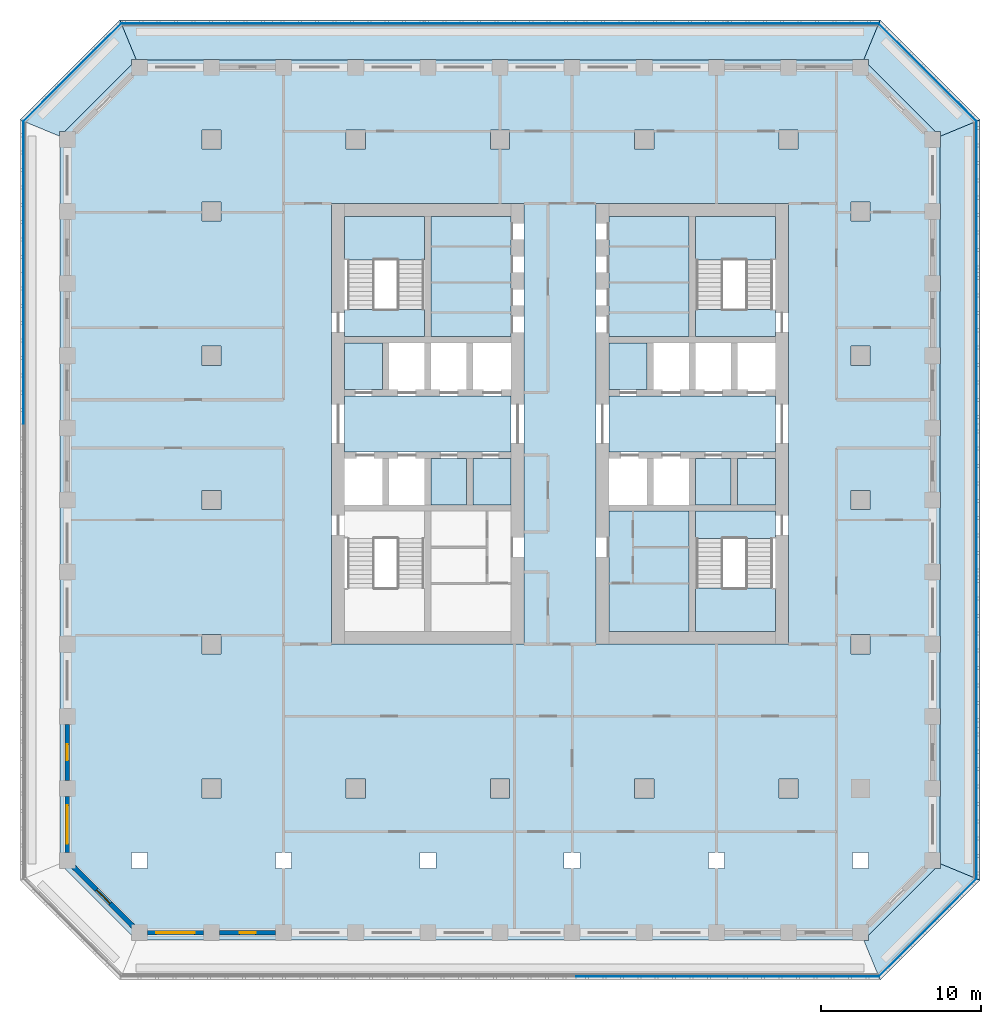
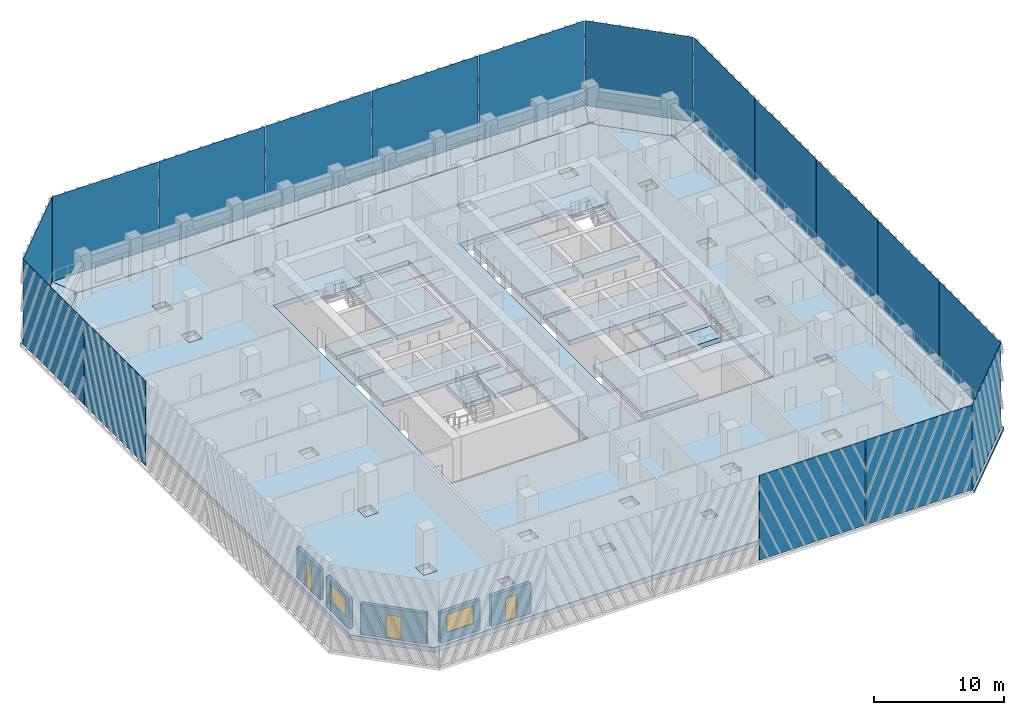
# One storey, part 2 of 17: 23 slabs, 17 plates, 5 walls, 3 doors, 2 windows, 5 openings, 3 elements without a shape of their own.
"""IFC4 building model written with IfcOpenShell, lengths in metres."""

from ifc_helpers import new_model, si_unit, direction, frame, frame_2d, origin, origin_2d, place, context, subcontext, project, spatial, polyline, rectangle, outline, extrude, material, layer, layer_set, type_object, element, fill, aggregate, save


model = new_model("IFC4")

# Units and contexts
model_context = context("Model", 3, precision=1e-05, world=origin(), true_north=direction((0.0, 1.0)))
body_context = subcontext(model_context, "Body", "Model", "MODEL_VIEW")
ifc_project = project(units=[si_unit("LENGTHUNIT", "METRE"), si_unit("AREAUNIT", "SQUARE_METRE"), si_unit("VOLUMEUNIT", "CUBIC_METRE"), si_unit("PLANEANGLEUNIT", "RADIAN"), si_unit("MASSUNIT", "GRAM", prefix="KILO")], contexts=[model_context])

# Site, building, storey
site_placement = place(None, origin())
site = spatial("IfcSite", under=ifc_project, at=site_placement, CompositionType="ELEMENT")
building_placement = place(site_placement, origin())
building = spatial("IfcBuilding", under=site, at=building_placement, Name="Corbel Stack Research Tower", CompositionType="ELEMENT")
storey_placement = place(building_placement, frame((0.0, 0.0, 156.800048828125)))
storey = spatial("IfcBuildingStorey", under=building, at=storey_placement, Name="L35", CompositionType="ELEMENT", Elevation=156.800048828125)

# Plates
ifc_material_1 = material(Name="Fritted glass", Category="glass")
ifc_layer_1 = layer(ifc_material_1, 0.02490234375)
ifc_layer_set_1 = layer_set([ifc_layer_1], Name="Fritted glass")
plate_type = type_object("IfcPlateType", Name="Fritted glass panel 25", PredefinedType="SHEET", material=ifc_layer_set_1)
for number, where, z_axis, x_axis, name in (
    (1, (9.45556640625, -29.737548828125, 0.0), (0.0, 0.0, 1.0), (1.0, 0.0, 0.0), "Fritted glass L35 S4"),
    (2, (18.911376953125, -29.737548828125, 0.0), (0.0, 0.0, 1.0), (1.0, 0.0, 0.0), "Fritted glass L35 S5"),
):
    element("IfcPlate", number, at=place(storey_placement, frame(where, z_axis=z_axis, x_axis=x_axis)), inside=storey, type_object=plate_type, Name=name, PredefinedType="SHEET", context=body_context, shape_type="SweptSolid", body=[
        extrude(rectangle(XDim=9.3955078125, YDim=0.02490234375, at=origin_2d()), origin(), (0.0, 0.0, 1.0), 7.949951171875),
    ])
plate_1_placement = place(storey_placement, frame((26.685791015625, -26.685791015625, 0.0), z_axis=(0.0, 0.0, 1.0), x_axis=(0.707106781187, 0.707106781187, 0.0)))
element("IfcPlate", 3, at=plate_1_placement, inside=storey, type_object=plate_type, Name="Fritted glass L35 SE1", PredefinedType="SHEET", context=body_context, shape_type="SweptSolid", body=[
    extrude(rectangle(XDim=8.58203125, YDim=0.02490234375, at=origin_2d()), origin(), (0.0, 0.0, 1.0), 7.949951171875),
])
for number, where, z_axis, x_axis, name in (
    (4, (29.737548828125, -18.911376953125, 0.0), (0.0, 0.0, 1.0), (0.0, 1.0, 0.0), "Fritted glass L35 E1"),
    (5, (29.737548828125, -9.45556640625, 0.0), (0.0, 0.0, 1.0), (0.0, 1.0, 0.0), "Fritted glass L35 E2"),
    (6, (29.737548828125, 0.0, 0.0), (0.0, 0.0, 1.0), (0.0, 1.0, 0.0), "Fritted glass L35 E3"),
    (7, (29.737548828125, 9.45556640625, 0.0), (0.0, 0.0, 1.0), (0.0, 1.0, 0.0), "Fritted glass L35 E4"),
    (8, (29.737548828125, 18.911376953125, 0.0), (0.0, 0.0, 1.0), (0.0, 1.0, 0.0), "Fritted glass L35 E5"),
):
    element("IfcPlate", number, at=place(storey_placement, frame(where, z_axis=z_axis, x_axis=x_axis)), inside=storey, type_object=plate_type, Name=name, PredefinedType="SHEET", context=body_context, shape_type="SweptSolid", body=[
        extrude(rectangle(XDim=9.3955078125, YDim=0.02490234375, at=origin_2d()), origin(), (0.0, 0.0, 1.0), 7.949951171875),
    ])
plate_2_placement = place(storey_placement, frame((26.685791015625, 26.685791015625, 0.0), z_axis=(0.0, 0.0, 1.0), x_axis=(-0.707106781187, 0.707106781187, 0.0)))
element("IfcPlate", 9, at=plate_2_placement, inside=storey, type_object=plate_type, Name="Fritted glass L35 NE1", PredefinedType="SHEET", context=body_context, shape_type="SweptSolid", body=[
    extrude(rectangle(XDim=8.58203125, YDim=0.02490234375, at=origin_2d()), origin(), (0.0, 0.0, 1.0), 7.949951171875),
])
for number, where, z_axis, x_axis, name in (
    (10, (18.911376953125, 29.737548828125, 0.0), (0.0, 0.0, 1.0), (-1.0, 0.0, 0.0), "Fritted glass L35 N1"),
    (11, (9.45556640625, 29.737548828125, 0.0), (0.0, 0.0, 1.0), (-1.0, 0.0, 0.0), "Fritted glass L35 N2"),
    (12, (0.0, 29.737548828125, 0.0), (0.0, 0.0, 1.0), (-1.0, 0.0, 0.0), "Fritted glass L35 N3"),
    (13, (-9.45556640625, 29.737548828125, 0.0), (0.0, 0.0, 1.0), (-1.0, 0.0, 0.0), "Fritted glass L35 N4"),
    (14, (-18.911376953125, 29.737548828125, 0.0), (0.0, 0.0, 1.0), (-1.0, 0.0, 0.0), "Fritted glass L35 N5"),
):
    element("IfcPlate", number, at=place(storey_placement, frame(where, z_axis=z_axis, x_axis=x_axis)), inside=storey, type_object=plate_type, Name=name, PredefinedType="SHEET", context=body_context, shape_type="SweptSolid", body=[
        extrude(rectangle(XDim=9.3955078125, YDim=0.02490234375, at=origin_2d()), origin(), (0.0, 0.0, 1.0), 7.949951171875),
    ])
plate_3_placement = place(storey_placement, frame((-26.685791015625, 26.685791015625, 0.0), z_axis=(0.0, 0.0, 1.0), x_axis=(-0.707106781187, -0.707106781187, 0.0)))
element("IfcPlate", 15, at=plate_3_placement, inside=storey, type_object=plate_type, Name="Fritted glass L35 NW1", PredefinedType="SHEET", context=body_context, shape_type="SweptSolid", body=[
    extrude(rectangle(XDim=8.58203125, YDim=0.02490234375, at=origin_2d()), origin(), (0.0, 0.0, 1.0), 7.949951171875),
])
for number, where, z_axis, x_axis, name in (
    (16, (-29.737548828125, 18.911376953125, 0.0), (0.0, 0.0, 1.0), (0.0, -1.0, 0.0), "Fritted glass L35 W1"),
    (17, (-29.737548828125, 9.45556640625, 0.0), (0.0, 0.0, 1.0), (0.0, -1.0, 0.0), "Fritted glass L35 W2"),
):
    element("IfcPlate", number, at=place(storey_placement, frame(where, z_axis=z_axis, x_axis=x_axis)), inside=storey, type_object=plate_type, Name=name, PredefinedType="SHEET", context=body_context, shape_type="SweptSolid", body=[
        extrude(rectangle(XDim=9.3955078125, YDim=0.02490234375, at=origin_2d()), origin(), (0.0, 0.0, 1.0), 7.949951171875),
    ])

# Slabs
ifc_material_2 = material(Name="Concrete C45/55", Category="concrete")
ifc_layer_2 = layer(ifc_material_2, 0.25)
ifc_layer_set_2 = layer_set([ifc_layer_2], Name="Concrete C45/55")
slab_type_1 = type_object("IfcSlabType", Name="PT balcony slab 250 C45/55", PredefinedType="FLOOR", material=ifc_layer_set_2)
slab_1_placement = place(storey_placement, frame((0.0, 0.0, -0.25)))
element("IfcSlab", 18, at=slab_1_placement, inside=storey, type_object=slab_type_1, Name="Loggia slab L35 SE", PredefinedType="FLOOR", context=body_context, shape_type="SweptSolid", body=[
    extrude(outline(polyline([(27.5, -22.70703125), (27.5, -23.0), (27.136474609375, -23.0), (23.0, -27.136474609375), (23.0, -27.5), (22.70703125, -27.5), (23.721923828125, -29.949951171875), (29.949951171875, -23.721923828125), (27.5, -22.70703125)])), origin(), (0.0, 0.0, 1.0), 0.25),
])
slab_2_placement = place(storey_placement, frame((0.0, 0.0, -0.25)))
element("IfcSlab", 19, at=slab_2_placement, inside=storey, type_object=slab_type_1, Name="Loggia slab L35 E", PredefinedType="FLOOR", context=body_context, shape_type="SweptSolid", body=[
    extrude(outline(polyline([(27.5, 22.70703125), (27.5, 22.0), (27.449951171875, 22.0), (27.449951171875, 18.5), (27.5, 18.5), (27.5, 17.5), (27.449951171875, 17.5), (27.449951171875, 14.0), (27.5, 14.0), (27.5, 13.0), (27.449951171875, 13.0), (27.449951171875, 9.5), (27.5, 9.5), (27.5, 8.5), (27.449951171875, 8.5), (27.449951171875, 5.0), (27.5, 5.0), (27.5, 4.0), (27.449951171875, 4.0), (27.449951171875, 0.5), (27.5, 0.5), (27.5, -0.5), (27.449951171875, -0.5), (27.449951171875, -4.0), (27.5, -4.0), (27.5, -5.0), (27.449951171875, -5.0), (27.449951171875, -8.5), (27.5, -8.5), (27.5, -9.5), (27.449951171875, -9.5), (27.449951171875, -13.0), (27.5, -13.0), (27.5, -14.0), (27.449951171875, -14.0), (27.449951171875, -17.5), (27.5, -17.5), (27.5, -18.5), (27.449951171875, -18.5), (27.449951171875, -22.0), (27.5, -22.0), (27.5, -22.70703125), (29.949951171875, -23.721923828125), (29.949951171875, 23.721923828125), (27.5, 22.70703125)])), origin(), (0.0, 0.0, 1.0), 0.25),
])
slab_3_placement = place(storey_placement, frame((0.0, 0.0, -0.25)))
element("IfcSlab", 20, at=slab_3_placement, inside=storey, type_object=slab_type_1, Name="Loggia slab L35 NE", PredefinedType="FLOOR", context=body_context, shape_type="SweptSolid", body=[
    extrude(outline(polyline([(22.70703125, 27.5), (23.0, 27.5), (23.0, 27.136474609375), (27.136474609375, 23.0), (27.5, 23.0), (27.5, 22.70703125), (29.949951171875, 23.721923828125), (23.721923828125, 29.949951171875), (22.70703125, 27.5)])), origin(), (0.0, 0.0, 1.0), 0.25),
])
slab_4_placement = place(storey_placement, frame((0.0, 0.0, -0.25)))
element("IfcSlab", 21, at=slab_4_placement, inside=storey, type_object=slab_type_1, Name="Loggia slab L35 N", PredefinedType="FLOOR", context=body_context, shape_type="SweptSolid", body=[
    extrude(outline(polyline([(-22.70703125, 27.5), (-22.0, 27.5), (-22.0, 27.449951171875), (-18.5, 27.449951171875), (-18.5, 27.5), (-17.5, 27.5), (-17.5, 27.449951171875), (-14.0, 27.449951171875), (-14.0, 27.5), (-13.0, 27.5), (-13.0, 27.449951171875), (-9.5, 27.449951171875), (-9.5, 27.5), (-8.5, 27.5), (-8.5, 27.449951171875), (-5.0, 27.449951171875), (-5.0, 27.5), (-4.0, 27.5), (-4.0, 27.449951171875), (-0.5, 27.449951171875), (-0.5, 27.5), (0.5, 27.5), (0.5, 27.449951171875), (4.0, 27.449951171875), (4.0, 27.5), (5.0, 27.5), (5.0, 27.449951171875), (8.5, 27.449951171875), (8.5, 27.5), (9.5, 27.5), (9.5, 27.449951171875), (13.0, 27.449951171875), (13.0, 27.5), (14.0, 27.5), (14.0, 27.449951171875), (17.5, 27.449951171875), (17.5, 27.5), (18.5, 27.5), (18.5, 27.449951171875), (22.0, 27.449951171875), (22.0, 27.5), (22.70703125, 27.5), (23.721923828125, 29.949951171875), (-23.721923828125, 29.949951171875), (-22.70703125, 27.5)])), origin(), (0.0, 0.0, 1.0), 0.25),
])
slab_5_placement = place(storey_placement, frame((0.0, 0.0, -0.25)))
element("IfcSlab", 22, at=slab_5_placement, inside=storey, type_object=slab_type_1, Name="Loggia slab L35 NW", PredefinedType="FLOOR", context=body_context, shape_type="SweptSolid", body=[
    extrude(outline(polyline([(-27.5, 22.70703125), (-27.5, 23.0), (-27.136474609375, 23.0), (-23.0, 27.136474609375), (-23.0, 27.5), (-22.70703125, 27.5), (-23.721923828125, 29.949951171875), (-29.949951171875, 23.721923828125), (-27.5, 22.70703125)])), origin(), (0.0, 0.0, 1.0), 0.25),
])
ifc_material_3 = material(Name="Concrete C45/55", Category="concrete")
ifc_layer_3 = layer(ifc_material_3, 0.449951171875)
ifc_layer_set_3 = layer_set([ifc_layer_3], Name="Concrete C45/55")
slab_type_2 = type_object("IfcSlabType", Name="PT-450", PredefinedType="FLOOR", material=ifc_layer_set_3)
slab_6_placement = place(storey_placement, frame((0.0, 0.0, -0.449951171875)))
element("IfcSlab", 23, at=slab_6_placement, inside=storey, type_object=slab_type_2, Name="Floor slab L35", PredefinedType="FLOOR", context=body_context, shape_type="SweptSolid", body=[
    extrude(outline(polyline([(-22.686279296875, -27.449951171875), (22.686279296875, -27.449951171875), (27.449951171875, -22.686279296875), (27.449951171875, 22.686279296875), (22.686279296875, 27.449951171875), (-22.686279296875, 27.449951171875), (-27.449951171875, 22.686279296875), (-27.449951171875, -22.686279296875), (-22.686279296875, -27.449951171875)]), holes=[polyline([(21.89990234375, 17.39990234375), (21.89990234375, 18.60009765625), (23.10009765625, 18.60009765625), (23.10009765625, 17.39990234375), (21.89990234375, 17.39990234375)]), polyline([(21.89990234375, 8.39990234375), (21.89990234375, 9.60009765625), (23.10009765625, 9.60009765625), (23.10009765625, 8.39990234375), (21.89990234375, 8.39990234375)]), polyline([(23.10009765625, -0.60009765625), (21.89990234375, -0.60009765625), (21.89990234375, 0.60009765625), (23.10009765625, 0.60009765625), (23.10009765625, -0.60009765625)]), polyline([(21.89990234375, -9.60009765625), (21.89990234375, -8.39990234375), (23.10009765625, -8.39990234375), (23.10009765625, -9.60009765625), (21.89990234375, -9.60009765625)]), polyline([(22.0, -23.0), (22.0, -22.0), (23.0, -22.0), (23.0, -23.0), (22.0, -23.0)]), polyline([(17.39990234375, 21.89990234375), (17.39990234375, 23.10009765625), (18.60009765625, 23.10009765625), (18.60009765625, 21.89990234375), (17.39990234375, 21.89990234375)]), polyline([(17.39990234375, -18.60009765625), (17.39990234375, -17.39990234375), (18.60009765625, -17.39990234375), (18.60009765625, -18.60009765625), (17.39990234375, -18.60009765625)]), polyline([(6.0, -9.0), (6.0, 18.5), (18.0, 18.5), (18.0, -9.0), (6.0, -9.0)]), polyline([(13.0, -23.0), (13.0, -22.0), (14.0, -22.0), (14.0, -23.0), (13.0, -23.0)]), polyline([(8.39990234375, 21.89990234375), (8.39990234375, 23.10009765625), (9.60009765625, 23.10009765625), (9.60009765625, 21.89990234375), (8.39990234375, 21.89990234375)]), polyline([(9.60009765625, -18.60009765625), (8.39990234375, -18.60009765625), (8.39990234375, -17.39990234375), (9.60009765625, -17.39990234375), (9.60009765625, -18.60009765625)]), polyline([(5.0, -23.0), (4.0, -23.0), (4.0, -22.0), (5.0, -22.0), (5.0, -23.0)]), polyline([(-10.5, -9.0), (-10.5, 18.5), (1.5, 18.5), (1.5, -9.0), (-10.5, -9.0)]), polyline([(-0.60009765625, 21.89990234375), (-0.60009765625, 23.10009765625), (0.60009765625, 23.10009765625), (0.60009765625, 21.89990234375), (-0.60009765625, 21.89990234375)]), polyline([(-0.60009765625, -18.60009765625), (-0.60009765625, -17.39990234375), (0.60009765625, -17.39990234375), (0.60009765625, -18.60009765625), (-0.60009765625, -18.60009765625)]), polyline([(-5.0, -23.0), (-5.0, -22.0), (-4.0, -22.0), (-4.0, -23.0), (-5.0, -23.0)]), polyline([(-9.60009765625, 21.89990234375), (-9.60009765625, 23.10009765625), (-8.39990234375, 23.10009765625), (-8.39990234375, 21.89990234375), (-9.60009765625, 21.89990234375)]), polyline([(-9.60009765625, -18.60009765625), (-9.60009765625, -17.39990234375), (-8.39990234375, -17.39990234375), (-8.39990234375, -18.60009765625), (-9.60009765625, -18.60009765625)]), polyline([(-14.0, -23.0), (-14.0, -22.0), (-13.0, -22.0), (-13.0, -23.0), (-14.0, -23.0)]), polyline([(-18.60009765625, 21.89990234375), (-18.60009765625, 23.10009765625), (-17.39990234375, 23.10009765625), (-17.39990234375, 21.89990234375), (-18.60009765625, 21.89990234375)]), polyline([(-18.60009765625, 17.39990234375), (-18.60009765625, 18.60009765625), (-17.39990234375, 18.60009765625), (-17.39990234375, 17.39990234375), (-18.60009765625, 17.39990234375)]), polyline([(-18.60009765625, 8.39990234375), (-18.60009765625, 9.60009765625), (-17.39990234375, 9.60009765625), (-17.39990234375, 8.39990234375), (-18.60009765625, 8.39990234375)]), polyline([(-18.60009765625, -0.60009765625), (-18.60009765625, 0.60009765625), (-17.39990234375, 0.60009765625), (-17.39990234375, -0.60009765625), (-18.60009765625, -0.60009765625)]), polyline([(-17.39990234375, -9.60009765625), (-18.60009765625, -9.60009765625), (-18.60009765625, -8.39990234375), (-17.39990234375, -8.39990234375), (-17.39990234375, -9.60009765625)]), polyline([(-17.39990234375, -18.60009765625), (-18.60009765625, -18.60009765625), (-18.60009765625, -17.39990234375), (-17.39990234375, -17.39990234375), (-17.39990234375, -18.60009765625)]), polyline([(-22.0, -23.0), (-23.0, -23.0), (-23.0, -22.0), (-22.0, -22.0), (-22.0, -23.0)])]), origin(), (0.0, 0.0, 1.0), 0.449951171875),
])
slab_7_placement = place(storey_placement, frame((0.0, 0.0, -0.449951171875)))
element("IfcSlab", 24, at=slab_7_placement, inside=storey, type_object=slab_type_2, Name="West core floor L35", PredefinedType="FLOOR", context=body_context, shape_type="SweptSolid", body=[
    extrude(outline(polyline([(0.699951171875, 6.5), (-9.699951171875, 6.5), (-9.699951171875, 3.0), (0.699951171875, 3.0), (0.699951171875, 6.5)])), origin(), (0.0, 0.0, 1.0), 0.449951171875),
])
slab_8_placement = place(storey_placement, frame((0.0, 0.0, -0.449951171875)))
element("IfcSlab", 25, at=slab_8_placement, inside=storey, type_object=slab_type_2, Name="West core floor L35", PredefinedType="FLOOR", context=body_context, shape_type="SweptSolid", body=[
    extrude(outline(polyline([(-9.699951171875, 6.89990234375), (-7.324951171875, 6.89990234375), (-7.324951171875, 9.800048828125), (-9.699951171875, 9.800048828125), (-9.699951171875, 6.89990234375)])), origin(), (0.0, 0.0, 1.0), 0.449951171875),
])
slab_9_placement = place(storey_placement, frame((0.0, 0.0, -0.449951171875)))
element("IfcSlab", 26, at=slab_9_placement, inside=storey, type_object=slab_type_2, Name="West core floor L35", PredefinedType="FLOOR", context=body_context, shape_type="SweptSolid", body=[
    extrude(outline(polyline([(-2.074951171875, -0.300048828125), (-2.074951171875, 2.60009765625), (-4.300048828125, 2.60009765625), (-4.300048828125, -0.300048828125), (-2.074951171875, -0.300048828125)])), origin(), (0.0, 0.0, 1.0), 0.449951171875),
])
slab_10_placement = place(storey_placement, frame((0.0, 0.0, -0.449951171875)))
element("IfcSlab", 27, at=slab_10_placement, inside=storey, type_object=slab_type_2, Name="West core floor L35", PredefinedType="FLOOR", context=body_context, shape_type="SweptSolid", body=[
    extrude(outline(polyline([(0.699951171875, 17.699951171875), (-4.300048828125, 17.699951171875), (-4.300048828125, 10.199951171875), (0.699951171875, 10.199951171875), (0.699951171875, 17.699951171875)])), origin(), (0.0, 0.0, 1.0), 0.449951171875),
])
slab_11_placement = place(storey_placement, frame((0.0, 0.0, -0.449951171875)))
element("IfcSlab", 28, at=slab_11_placement, inside=storey, type_object=slab_type_2, Name="West core floor L35", PredefinedType="FLOOR", context=body_context, shape_type="SweptSolid", body=[
    extrude(outline(polyline([(0.699951171875, -0.300048828125), (0.699951171875, 2.60009765625), (-1.675048828125, 2.60009765625), (-1.675048828125, -0.300048828125), (0.699951171875, -0.300048828125)])), origin(), (0.0, 0.0, 1.0), 0.449951171875),
])
slab_12_placement = place(storey_placement, frame((0.0, 0.0, -0.449951171875)))
element("IfcSlab", 29, at=slab_12_placement, inside=storey, type_object=slab_type_2, Name="East core floor L35", PredefinedType="FLOOR", context=body_context, shape_type="SweptSolid", body=[
    extrude(outline(polyline([(6.800048828125, -0.699951171875), (6.800048828125, -8.199951171875), (11.800048828125, -8.199951171875), (11.800048828125, -0.699951171875), (6.800048828125, -0.699951171875)])), origin(), (0.0, 0.0, 1.0), 0.449951171875),
])
slab_13_placement = place(storey_placement, frame((0.0, 0.0, -0.449951171875)))
element("IfcSlab", 30, at=slab_13_placement, inside=storey, type_object=slab_type_2, Name="East core floor L35", PredefinedType="FLOOR", context=body_context, shape_type="SweptSolid", body=[
    extrude(outline(polyline([(17.199951171875, 6.5), (6.800048828125, 6.5), (6.800048828125, 3.0), (17.199951171875, 3.0), (17.199951171875, 6.5)])), origin(), (0.0, 0.0, 1.0), 0.449951171875),
])
slab_14_placement = place(storey_placement, frame((0.0, 0.0, -0.449951171875)))
element("IfcSlab", 31, at=slab_14_placement, inside=storey, type_object=slab_type_2, Name="East core floor L35", PredefinedType="FLOOR", context=body_context, shape_type="SweptSolid", body=[
    extrude(outline(polyline([(6.800048828125, 6.89990234375), (9.175048828125, 6.89990234375), (9.175048828125, 9.800048828125), (6.800048828125, 9.800048828125), (6.800048828125, 6.89990234375)])), origin(), (0.0, 0.0, 1.0), 0.449951171875),
])
slab_15_placement = place(storey_placement, frame((0.0, 0.0, -0.449951171875)))
element("IfcSlab", 32, at=slab_15_placement, inside=storey, type_object=slab_type_2, Name="East core floor L35", PredefinedType="FLOOR", context=body_context, shape_type="SweptSolid", body=[
    extrude(outline(polyline([(6.800048828125, 17.699951171875), (6.800048828125, 10.199951171875), (11.800048828125, 10.199951171875), (11.800048828125, 17.699951171875), (6.800048828125, 17.699951171875)])), origin(), (0.0, 0.0, 1.0), 0.449951171875),
])
slab_16_placement = place(storey_placement, frame((0.0, 0.0, -0.449951171875)))
element("IfcSlab", 33, at=slab_16_placement, inside=storey, type_object=slab_type_2, Name="East core floor L35", PredefinedType="FLOOR", context=body_context, shape_type="SweptSolid", body=[
    extrude(outline(polyline([(14.425048828125, -0.300048828125), (14.425048828125, 2.60009765625), (12.199951171875, 2.60009765625), (12.199951171875, -0.300048828125), (14.425048828125, -0.300048828125)])), origin(), (0.0, 0.0, 1.0), 0.449951171875),
])
slab_17_placement = place(storey_placement, frame((0.0, 0.0, -0.449951171875)))
element("IfcSlab", 34, at=slab_17_placement, inside=storey, type_object=slab_type_2, Name="East core floor L35", PredefinedType="FLOOR", context=body_context, shape_type="SweptSolid", body=[
    extrude(outline(polyline([(17.199951171875, -0.300048828125), (17.199951171875, 2.60009765625), (14.824951171875, 2.60009765625), (14.824951171875, -0.300048828125), (17.199951171875, -0.300048828125)])), origin(), (0.0, 0.0, 1.0), 0.449951171875),
])
slab_18_placement = place(storey_placement, frame((0.0, 0.0, -0.449951171875)))
element("IfcSlab", 35, at=slab_18_placement, inside=storey, type_object=slab_type_2, Name="Stair floor landing ST-W2", PredefinedType="FLOOR", context=body_context, shape_type="SweptSolid", body=[
    extrude(outline(polyline([(-9.699951171875, 10.199951171875), (-4.699951171875, 10.199951171875), (-4.699951171875, 11.89990234375), (-9.699951171875, 11.89990234375), (-9.699951171875, 10.199951171875)])), origin(), (0.0, 0.0, 1.0), 0.449951171875),
])
slab_19_placement = place(storey_placement, frame((0.0, 0.0, -0.449951171875)))
element("IfcSlab", 36, at=slab_19_placement, inside=storey, type_object=slab_type_2, Name="Stair floor landing ST-E1", PredefinedType="FLOOR", context=body_context, shape_type="SweptSolid", body=[
    extrude(outline(polyline([(12.199951171875, -2.39990234375), (17.199951171875, -2.39990234375), (17.199951171875, -0.699951171875), (12.199951171875, -0.699951171875), (12.199951171875, -2.39990234375)])), origin(), (0.0, 0.0, 1.0), 0.449951171875),
])
slab_20_placement = place(storey_placement, frame((0.0, 0.0, -0.449951171875)))
element("IfcSlab", 37, at=slab_20_placement, inside=storey, type_object=slab_type_2, Name="Stair floor landing ST-E2", PredefinedType="FLOOR", context=body_context, shape_type="SweptSolid", body=[
    extrude(outline(polyline([(12.199951171875, 10.199951171875), (17.199951171875, 10.199951171875), (17.199951171875, 11.89990234375), (12.199951171875, 11.89990234375), (12.199951171875, 10.199951171875)])), origin(), (0.0, 0.0, 1.0), 0.449951171875),
])

# Stair, slab
ifc_material_4 = material(Name="Concrete C40/50", Category="concrete")
stair_type = type_object("IfcStairType", Name="Exit stair 24 risers", PredefinedType="HALF_TURN_STAIR", material=ifc_material_4)
stair_1_placement = place(storey_placement, origin())
stair_1 = element("IfcStair", 38, at=stair_1_placement, inside=storey, type_object=stair_type, Name="L35 Exit stair ST-W2", PredefinedType="HALF_TURN_STAIR")
ifc_material_5 = material(Name="Concrete C40/50", Category="concrete")
ifc_layer_4 = layer(ifc_material_5, 0.199951171875)
ifc_layer_set_4 = layer_set([ifc_layer_4], Name="Concrete C40/50")
slab_type_3 = type_object("IfcSlabType", Name="Stair landing 200 C40/50", PredefinedType="LANDING", material=ifc_layer_set_4)
slab_21_placement = place(storey_placement, frame((0.0, 0.0, 1.849853515625)))
slab_21 = element("IfcSlab", 39, at=slab_21_placement, type_object=slab_type_3, Name="ST-W2 landing 1", PredefinedType="LANDING", context=body_context, shape_type="SweptSolid", body=[
    extrude(outline(polyline([(-9.699951171875, 14.97998046875), (-9.699951171875, 17.699951171875), (-4.699951171875, 17.699951171875), (-4.699951171875, 14.97998046875), (-9.699951171875, 14.97998046875)])), origin(), (0.0, 0.0, 1.0), 0.2001953125),
])
aggregate(stair_1, [slab_21])

stair_2_placement = place(storey_placement, origin())
stair_2 = element("IfcStair", 40, at=stair_2_placement, inside=storey, type_object=stair_type, Name="L35 Exit stair ST-E1", PredefinedType="HALF_TURN_STAIR")
slab_22_placement = place(storey_placement, frame((0.0, 0.0, 1.849853515625)))
slab_22 = element("IfcSlab", 41, at=slab_22_placement, type_object=slab_type_3, Name="ST-E1 landing 1", PredefinedType="LANDING", context=body_context, shape_type="SweptSolid", body=[
    extrude(outline(polyline([(12.199951171875, -8.199951171875), (12.199951171875, -5.47998046875), (17.199951171875, -5.47998046875), (17.199951171875, -8.199951171875), (12.199951171875, -8.199951171875)])), origin(), (0.0, 0.0, 1.0), 0.2001953125),
])
aggregate(stair_2, [slab_22])

stair_3_placement = place(storey_placement, origin())
stair_3 = element("IfcStair", 42, at=stair_3_placement, inside=storey, type_object=stair_type, Name="L35 Exit stair ST-E2", PredefinedType="HALF_TURN_STAIR")
slab_23_placement = place(storey_placement, frame((0.0, 0.0, 1.849853515625)))
slab_23 = element("IfcSlab", 43, at=slab_23_placement, type_object=slab_type_3, Name="ST-E2 landing 1", PredefinedType="LANDING", context=body_context, shape_type="SweptSolid", body=[
    extrude(outline(polyline([(12.199951171875, 14.97998046875), (12.199951171875, 17.699951171875), (17.199951171875, 17.699951171875), (17.199951171875, 14.97998046875), (12.199951171875, 14.97998046875)])), origin(), (0.0, 0.0, 1.0), 0.2001953125),
])
aggregate(stair_3, [slab_23])

# Wall, opening, window
ifc_material_6 = material(Name="Concrete C45/55", Category="concrete")
ifc_layer_5 = layer(ifc_material_6, 0.300048828125)
ifc_layer_set_5 = layer_set([ifc_layer_5], Name="Concrete C45/55")
wall_type = type_object("IfcWallType", Name="Terracotta-faced concrete wall 300", PredefinedType="SOLIDWALL", material=ifc_layer_set_5)
wall_1_placement = place(storey_placement, frame((-18.5, -27.0, 0.0), z_axis=(0.0, 0.0, 1.0), x_axis=(-1.0, 0.0, 0.0)))
wall_1 = element("IfcWall", 44, at=wall_1_placement, inside=storey, type_object=wall_type, Name="Facade wall L35 S01", PredefinedType="SOLIDWALL", context=body_context, shape_type="SweptSolid", body=[
    extrude(rectangle(XDim=3.5, YDim=0.300048828125, at=frame_2d((1.75, 0.0))), origin(), (0.0, 0.0, 1.0), 2.849853515625),
])
opening_1_placement = place(wall_1_placement, frame((0.550048828125, 0.0, 0.800048828125)))
opening_1 = element("IfcOpeningElement", 45, at=opening_1_placement, cuts=wall_1, Name="Opening W1", PredefinedType="OPENING", context=body_context, shape_type="SweptSolid", body=[
    extrude(rectangle(XDim=2.39990234375, YDim=1.699951171875, at=frame_2d((1.199951171875, 0.85009765625))), frame((0.0, 0.159912109375, 0.0), z_axis=(0.0, -1.0, 0.0), x_axis=(1.0, 0.0, 0.0)), (0.0, 0.0, 1.0), 0.320068359375),
])
ifc_material_7 = material(Name="Aluminium frame, clear double glazing", Category="aluminium")
window_type = type_object("IfcWindowType", Name="Window W1 2400 x 1700", PartitioningType="SINGLE_PANEL", PredefinedType="WINDOW", material=ifc_material_7)
window_1_placement = place(opening_1_placement, origin())
window_1 = element("IfcWindow", 46, at=window_1_placement, inside=storey, type_object=window_type, Name="Window W1 L35 S01", OverallHeight=1.699951171875, OverallWidth=2.39990234375, PartitioningType="SINGLE_PANEL", PredefinedType="WINDOW", context=body_context, shape_type="SweptSolid", body=[
    extrude(rectangle(XDim=2.39990234375, YDim=1.699951171875, at=frame_2d((1.199951171875, 0.85009765625))), frame((0.0, 0.030029296875, 0.0), z_axis=(0.0, -1.0, 0.0), x_axis=(1.0, 0.0, 0.0)), (0.0, 0.0, 1.0), 0.06005859375),
])
fill(opening_1, window_1)

# Wall, opening, door
wall_2_placement = place(storey_placement, frame((-14.0, -27.0, 0.0), z_axis=(0.0, 0.0, 1.0), x_axis=(-1.0, 0.0, 0.0)))
wall_2 = element("IfcWall", 47, at=wall_2_placement, inside=storey, type_object=wall_type, Name="Facade wall L35 S02", PredefinedType="SOLIDWALL", context=body_context, shape_type="SweptSolid", body=[
    extrude(rectangle(XDim=3.5, YDim=0.300048828125, at=frame_2d((1.75, 0.0))), origin(), (0.0, 0.0, 1.0), 2.849853515625),
])
opening_2_placement = place(wall_2_placement, frame((1.25, 0.0, 0.0)))
opening_2 = element("IfcOpeningElement", 48, at=opening_2_placement, cuts=wall_2, Name="Opening L35-B01", PredefinedType="OPENING", context=body_context, shape_type="SweptSolid", body=[
    extrude(rectangle(XDim=1.0, YDim=2.199951171875, at=frame_2d((0.5, 1.10009765625))), frame((0.0, 0.159912109375, 0.0), z_axis=(0.0, -1.0, 0.0), x_axis=(1.0, 0.0, 0.0)), (0.0, 0.0, 1.0), 0.320068359375),
])
ifc_material_8 = material(Name="Aluminium frame, clear double glazing", Category="aluminium")
door_type_1 = type_object("IfcDoorType", Name="Balcony door BD1 1000 x 2200", OperationType="NOTDEFINED", PredefinedType="DOOR", material=ifc_material_8)
door_1_placement = place(opening_2_placement, origin())
door_1 = element("IfcDoor", 49, at=door_1_placement, inside=storey, type_object=door_type_1, Name="Balcony door L35-B01", OperationType="SINGLE_SWING_LEFT", OverallHeight=2.199951171875, OverallWidth=1.0, PredefinedType="DOOR", context=body_context, shape_type="SweptSolid", body=[
    extrude(rectangle(XDim=1.0, YDim=2.199951171875, at=frame_2d((0.5, 1.10009765625))), frame((0.0, 0.02490234375, 0.0), z_axis=(0.0, -1.0, 0.0), x_axis=(1.0, 0.0, 0.0)), (0.0, 0.0, 1.0), 0.050048828125),
])
fill(opening_2, door_1)

wall_3_placement = place(storey_placement, frame((-27.0, -17.5, 0.0), z_axis=(0.0, 0.0, 1.0), x_axis=(0.0, 1.0, 0.0)))
wall_3 = element("IfcWall", 50, at=wall_3_placement, inside=storey, type_object=wall_type, Name="Facade wall L35 W09", PredefinedType="SOLIDWALL", context=body_context, shape_type="SweptSolid", body=[
    extrude(rectangle(XDim=3.5, YDim=0.300048828125, at=frame_2d((1.75, 0.0))), origin(), (0.0, 0.0, 1.0), 2.849853515625),
])
opening_3_placement = place(wall_3_placement, frame((1.25, 0.0, 0.0)))
opening_3 = element("IfcOpeningElement", 51, at=opening_3_placement, cuts=wall_3, Name="Opening L35-B11", PredefinedType="OPENING", context=body_context, shape_type="SweptSolid", body=[
    extrude(rectangle(XDim=1.0, YDim=2.199951171875, at=frame_2d((0.5, 1.10009765625))), frame((0.0, 0.159912109375, 0.0), z_axis=(0.0, -1.0, 0.0), x_axis=(1.0, 0.0, 0.0)), (0.0, 0.0, 1.0), 0.320068359375),
])
door_2_placement = place(opening_3_placement, origin())
door_2 = element("IfcDoor", 52, at=door_2_placement, inside=storey, type_object=door_type_1, Name="Balcony door L35-B11", OperationType="SINGLE_SWING_RIGHT", OverallHeight=2.199951171875, OverallWidth=1.0, PredefinedType="DOOR", context=body_context, shape_type="SweptSolid", body=[
    extrude(rectangle(XDim=1.0, YDim=2.199951171875, at=frame_2d((0.5, 1.10009765625))), frame((0.0, 0.02490234375, 0.0), z_axis=(0.0, -1.0, 0.0), x_axis=(1.0, 0.0, 0.0)), (0.0, 0.0, 1.0), 0.050048828125),
])
fill(opening_3, door_2)

# Wall, opening, window
wall_4_placement = place(storey_placement, frame((-27.0, -22.0, 0.0), z_axis=(0.0, 0.0, 1.0), x_axis=(0.0, 1.0, 0.0)))
wall_4 = element("IfcWall", 53, at=wall_4_placement, inside=storey, type_object=wall_type, Name="Facade wall L35 W10", PredefinedType="SOLIDWALL", context=body_context, shape_type="SweptSolid", body=[
    extrude(rectangle(XDim=3.5, YDim=0.300048828125, at=frame_2d((1.75, 0.0))), origin(), (0.0, 0.0, 1.0), 2.849853515625),
])
opening_4_placement = place(wall_4_placement, frame((0.550048828125, 0.0, 0.800048828125)))
opening_4 = element("IfcOpeningElement", 54, at=opening_4_placement, cuts=wall_4, Name="Opening W1", PredefinedType="OPENING", context=body_context, shape_type="SweptSolid", body=[
    extrude(rectangle(XDim=2.39990234375, YDim=1.699951171875, at=frame_2d((1.199951171875, 0.85009765625))), frame((0.0, 0.159912109375, 0.0), z_axis=(0.0, -1.0, 0.0), x_axis=(1.0, 0.0, 0.0)), (0.0, 0.0, 1.0), 0.320068359375),
])
window_2_placement = place(opening_4_placement, origin())
window_2 = element("IfcWindow", 55, at=window_2_placement, inside=storey, type_object=window_type, Name="Window W1 L35 W10", OverallHeight=1.699951171875, OverallWidth=2.39990234375, PartitioningType="SINGLE_PANEL", PredefinedType="WINDOW", context=body_context, shape_type="SweptSolid", body=[
    extrude(rectangle(XDim=2.39990234375, YDim=1.699951171875, at=frame_2d((1.199951171875, 0.85009765625))), frame((0.0, 0.030029296875, 0.0), z_axis=(0.0, -1.0, 0.0), x_axis=(1.0, 0.0, 0.0)), (0.0, 0.0, 1.0), 0.06005859375),
])
fill(opening_4, window_2)

# Wall, opening, door
wall_5_placement = place(storey_placement, frame((-22.893798828125, -26.606201171875, 0.0), z_axis=(0.0, 0.0, 1.0), x_axis=(-0.707106781187, 0.707106781187, 0.0)))
wall_5 = element("IfcWall", 56, at=wall_5_placement, inside=storey, type_object=wall_type, Name="Facade wall L35 SW01", PredefinedType="SOLIDWALL", context=body_context, shape_type="SweptSolid", body=[
    extrude(rectangle(XDim=5.250244140625, YDim=0.300048828125, at=frame_2d((2.625, 0.0))), origin(), (0.0, 0.0, 1.0), 2.849853515625),
])
opening_5_placement = place(wall_5_placement, frame((2.02490234375, 0.0, 0.0)))
opening_5 = element("IfcOpeningElement", 57, at=opening_5_placement, cuts=wall_5, Name="Opening L35-B12", PredefinedType="OPENING", context=body_context, shape_type="SweptSolid", body=[
    extrude(rectangle(XDim=1.199951171875, YDim=2.199951171875, at=frame_2d((0.60009765625, 1.10009765625))), frame((0.0, 0.159912109375, 0.0), z_axis=(0.0, -1.0, 0.0), x_axis=(1.0, 0.0, 0.0)), (0.0, 0.0, 1.0), 0.320068359375),
])
ifc_material_9 = material(Name="Aluminium frame, clear double glazing", Category="aluminium")
door_type_2 = type_object("IfcDoorType", Name="Balcony door BD2 1200 x 2200", OperationType="NOTDEFINED", PredefinedType="DOOR", material=ifc_material_9)
door_3_placement = place(opening_5_placement, origin())
door_3 = element("IfcDoor", 58, at=door_3_placement, inside=storey, type_object=door_type_2, Name="Balcony door L35-B12", OperationType="SINGLE_SWING_RIGHT", OverallHeight=2.199951171875, OverallWidth=1.199951171875, PredefinedType="DOOR", context=body_context, shape_type="SweptSolid", body=[
    extrude(rectangle(XDim=1.199951171875, YDim=2.199951171875, at=frame_2d((0.60009765625, 1.10009765625))), frame((0.0, 0.02490234375, 0.0), z_axis=(0.0, -1.0, 0.0), x_axis=(1.0, 0.0, 0.0)), (0.0, 0.0, 1.0), 0.050048828125),
])
fill(opening_5, door_3)

save(model, "model.ifc")
